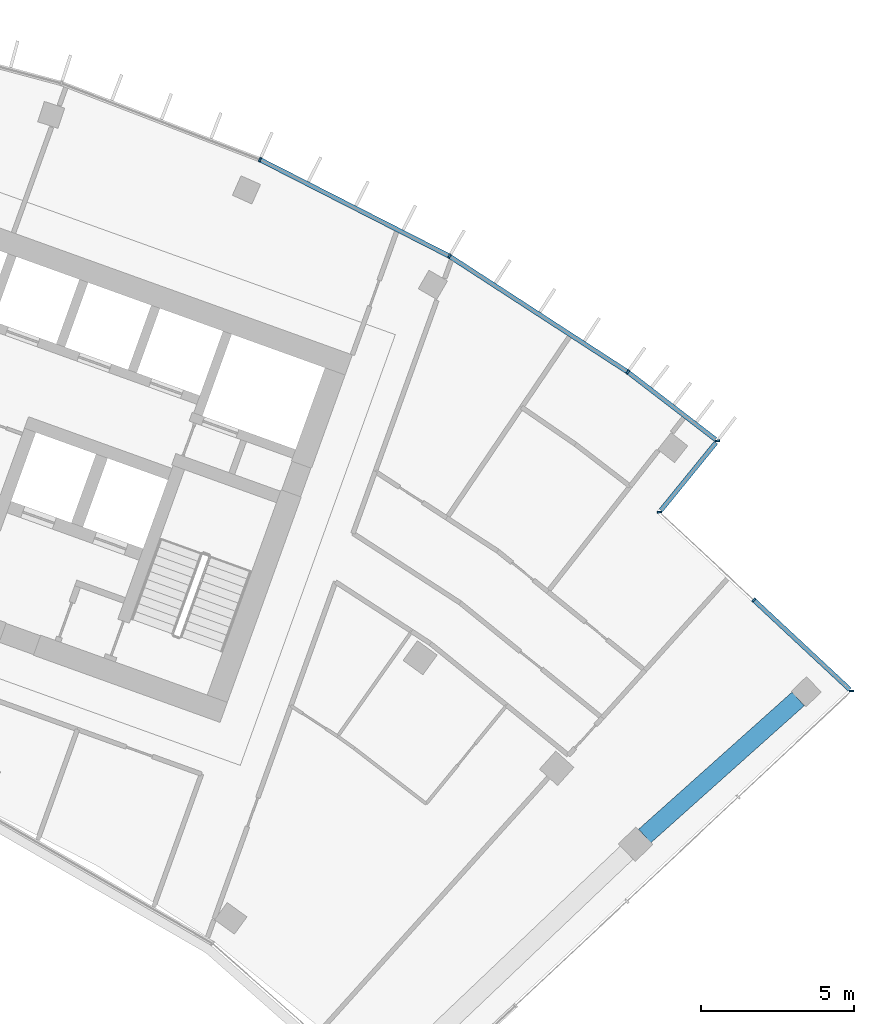
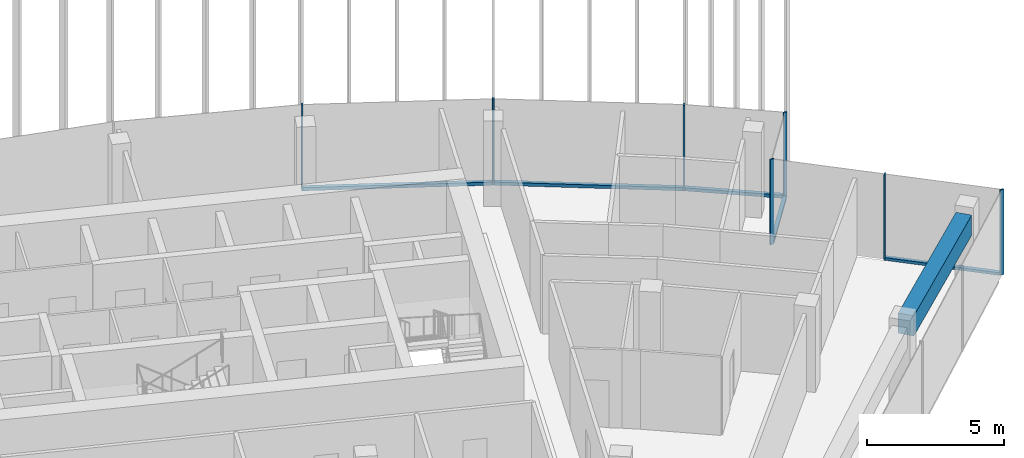
# One storey, part 9 of 19: 12 members, 1 beam, 3 elements without a shape of their own.
"""IFC4 building model written with IfcOpenShell, lengths in metres."""

from ifc_helpers import new_model, si_unit, direction, frame, origin, origin_2d, place, context, subcontext, project, spatial, rectangle, extrude, material, layer, layer_set, material_profile, profile_set, type_object, element, aggregate, save


model = new_model("IFC4")

# Units and contexts
model_context = context("Model", 3, precision=1e-05, world=origin(), true_north=direction((0.0, 1.0)))
body_context = subcontext(model_context, "Body", "Model", "MODEL_VIEW")
ifc_project = project(units=[si_unit("LENGTHUNIT", "METRE"), si_unit("AREAUNIT", "SQUARE_METRE"), si_unit("VOLUMEUNIT", "CUBIC_METRE"), si_unit("PLANEANGLEUNIT", "RADIAN"), si_unit("MASSUNIT", "GRAM", prefix="KILO")], contexts=[model_context])

# Site, building, storey
site_placement = place(None, origin())
site = spatial("IfcSite", under=ifc_project, at=site_placement, CompositionType="ELEMENT")
building_placement = place(site_placement, origin())
building = spatial("IfcBuilding", under=site, at=building_placement, Name="Stone Belt Terrace Tower", CompositionType="ELEMENT")
storey_placement = place(building_placement, frame((0.0, 0.0, 280.800048828125)))
storey = spatial("IfcBuildingStorey", under=building, at=storey_placement, Name="L68", CompositionType="ELEMENT", Elevation=280.800048828125)

# Curtain wall, members
ifc_material_1 = material(Name="Aluminium 6063-T6 anodised frame", Category="aluminium")
ifc_layer_1 = layer(ifc_material_1, 0.14990234375)
ifc_layer_set_1 = layer_set([ifc_layer_1], Name="CW-A unitised convex-face curtain wall")
curtain_wall_type_1 = type_object("IfcCurtainWallType", Name="CW-A unitised convex-face curtain wall", PredefinedType="NOTDEFINED", material=ifc_layer_set_1)
curtain_wall_1_placement = place(storey_placement, origin())
curtain_wall_1 = element("IfcCurtainWall", 1, at=curtain_wall_1_placement, inside=storey, type_object=curtain_wall_type_1, Name="CW-A convex face L68", PredefinedType="NOTDEFINED")
ifc_material_profile_1 = material_profile(ifc_material_1, rectangle(XDim=0.14990234375, YDim=0.06005859375, at=origin_2d()), Name="Aluminium 6063-T6 60x150")
ifc_profile_set_1 = profile_set([ifc_material_profile_1], Name="Aluminium 6063-T6 anodised frame")
member_type_1 = type_object("IfcMemberType", Name="CW-A mullion 60 x 150", PredefinedType="MULLION", material=ifc_profile_set_1)
member_1_placement = place(storey_placement, frame((42.068359375, 51.60205078125, 0.0), z_axis=(0.0, 0.0, 1.0), x_axis=(-0.993258004644, -0.115924700604, 0.0)))
member_1 = element("IfcMember", 2, at=member_1_placement, type_object=member_type_1, Name="CW-A mullion 1", PredefinedType="MULLION", context=body_context, shape_type="SweptSolid", body=[
    extrude(rectangle(XDim=0.14990234375, YDim=0.06005859375, at=origin_2d()), origin(), (0.0, 0.0, 1.0), 3.800048828125),
])
member_2_placement = place(storey_placement, frame((39.131103515625, 53.86083984375, 0.0), z_axis=(0.0, 0.0, 1.0), x_axis=(-0.577587125789, -0.816329046477, 0.0)))
member_2 = element("IfcMember", 3, at=member_2_placement, type_object=member_type_1, Name="CW-A mullion 2", PredefinedType="MULLION", context=body_context, shape_type="SweptSolid", body=[
    extrude(rectangle(XDim=0.14990234375, YDim=0.06005859375, at=origin_2d()), origin(), (0.0, 0.0, 1.0), 3.800048828125),
])
member_3_placement = place(storey_placement, frame((33.28759765625, 57.65576171875, 0.0), z_axis=(0.0, 0.0, 1.0), x_axis=(-0.5, -0.866025403784, 0.0)))
member_3 = element("IfcMember", 4, at=member_3_placement, type_object=member_type_1, Name="CW-A mullion 3", PredefinedType="MULLION", context=body_context, shape_type="SweptSolid", body=[
    extrude(rectangle(XDim=0.14990234375, YDim=0.06005859375, at=origin_2d()), origin(), (0.0, 0.0, 1.0), 3.800048828125),
])
member_4_placement = place(storey_placement, frame((27.07861328125, 60.8193359375, 0.0), z_axis=(0.0, 0.0, 1.0), x_axis=(-0.406736643076, -0.913545457643, 0.0)))
member_4 = element("IfcMember", 5, at=member_4_placement, type_object=member_type_1, Name="CW-A mullion 4", PredefinedType="MULLION", context=body_context, shape_type="SweptSolid", body=[
    extrude(rectangle(XDim=0.14990234375, YDim=0.06005859375, at=origin_2d()), origin(), (0.0, 0.0, 1.0), 3.800048828125),
])
ifc_material_profile_2 = material_profile(ifc_material_1, rectangle(XDim=0.14990234375, YDim=0.139892578125, at=origin_2d()), Name="Aluminium 6063-T6 150x140")
ifc_profile_set_2 = profile_set([ifc_material_profile_2], Name="Aluminium 6063-T6 anodised frame")
member_type_2 = type_object("IfcMemberType", Name="CW-A transom 140 x 150", PredefinedType="USERDEFINED", material=ifc_profile_set_2)
member_5_placement = place(storey_placement, frame((42.00927734375, 51.6474609375, 0.070068359375), z_axis=(-0.79269461464, 0.609618936648, 0.0), x_axis=(-0.609618936648, -0.79269461464, 0.0)))
member_5 = element("IfcMember", 6, at=member_5_placement, type_object=member_type_2, Name="CW-A transom 1.1", ObjectType="TRANSOM", PredefinedType="USERDEFINED", context=body_context, shape_type="SweptSolid", body=[
    extrude(rectangle(XDim=0.14990234375, YDim=0.139892578125, at=origin_2d()), origin(), (0.0, 0.0, 1.0), 3.597900390625),
])
member_6_placement = place(storey_placement, frame((39.103515625, 53.87890625, 0.070068359375), z_axis=(-0.83868440714, 0.544617723931, 0.0), x_axis=(-0.544617723931, -0.83868440714, 0.0)))
member_6 = element("IfcMember", 7, at=member_6_placement, type_object=member_type_2, Name="CW-A transom 2.1", ObjectType="TRANSOM", PredefinedType="USERDEFINED", context=body_context, shape_type="SweptSolid", body=[
    extrude(rectangle(XDim=0.14990234375, YDim=0.139892578125, at=origin_2d()), origin(), (0.0, 0.0, 1.0), 6.90087890625),
])
member_7_placement = place(storey_placement, frame((33.25732421875, 57.671142578125, 0.070068359375), z_axis=(-0.891012226264, 0.453979308613, 0.0), x_axis=(-0.453979308613, -0.891012226264, 0.0)))
member_7 = element("IfcMember", 8, at=member_7_placement, type_object=member_type_2, Name="CW-A transom 3.1", ObjectType="TRANSOM", PredefinedType="USERDEFINED", context=body_context, shape_type="SweptSolid", body=[
    extrude(rectangle(XDim=0.14990234375, YDim=0.139892578125, at=origin_2d()), origin(), (0.0, 0.0, 1.0), 6.90087890625),
])
aggregate(curtain_wall_1, [member_1, member_2, member_3, member_4, member_5, member_6, member_7])

ifc_layer_2 = layer(ifc_material_1, 0.14990234375)
ifc_layer_set_2 = layer_set([ifc_layer_2], Name="CW-C stick curtain wall, horn ends and notches")
curtain_wall_type_2 = type_object("IfcCurtainWallType", Name="CW-C stick curtain wall, horn ends and notches", PredefinedType="NOTDEFINED", material=ifc_layer_set_2)
curtain_wall_2_placement = place(storey_placement, origin())
curtain_wall_2 = element("IfcCurtainWall", 9, at=curtain_wall_2_placement, inside=storey, type_object=curtain_wall_type_2, Name="CW-C notch face L68", PredefinedType="NOTDEFINED")
ifc_material_profile_3 = material_profile(ifc_material_1, rectangle(XDim=0.14990234375, YDim=0.06005859375, at=origin_2d()), Name="Aluminium 6063-T6 60x150")
ifc_profile_set_3 = profile_set([ifc_material_profile_3], Name="Aluminium 6063-T6 anodised frame")
member_type_3 = type_object("IfcMemberType", Name="CW-C mullion 60 x 150", PredefinedType="MULLION", material=ifc_profile_set_3)
member_8_placement = place(storey_placement, frame((46.458740234375, 43.405517578125, 0.0), z_axis=(0.0, 0.0, 1.0), x_axis=(-0.999999447771, -0.00105093149, 0.0)))
member_8 = element("IfcMember", 10, at=member_8_placement, type_object=member_type_3, Name="CW-C mullion 1", PredefinedType="MULLION", context=body_context, shape_type="SweptSolid", body=[
    extrude(rectangle(XDim=0.14990234375, YDim=0.06005859375, at=origin_2d()), origin(), (0.0, 0.0, 1.0), 3.800048828125),
])
member_9_placement = place(storey_placement, frame((43.260009765625, 46.388671875, 0.0), z_axis=(0.0, 0.0, 1.0), x_axis=(-0.682013767261, -0.731339333871, 0.0)))
member_9 = element("IfcMember", 11, at=member_9_placement, type_object=member_type_3, Name="CW-C mullion 2", PredefinedType="MULLION", context=body_context, shape_type="SweptSolid", body=[
    extrude(rectangle(XDim=0.14990234375, YDim=0.06005859375, at=origin_2d()), origin(), (0.0, 0.0, 1.0), 3.800048828125),
])

# Curtain wall, member
curtain_wall_3_placement = place(storey_placement, origin())
curtain_wall_3 = element("IfcCurtainWall", 12, at=curtain_wall_3_placement, inside=storey, type_object=curtain_wall_type_2, Name="CW-C notch face L68", PredefinedType="NOTDEFINED")
member_10_placement = place(storey_placement, frame((40.1708984375, 49.269287109375, 0.0), z_axis=(0.0, 0.0, 1.0), x_axis=(-0.997639702696, -0.068666029474, 0.0)))
member_10 = element("IfcMember", 13, at=member_10_placement, type_object=member_type_3, Name="CW-C mullion 1", PredefinedType="MULLION", context=body_context, shape_type="SweptSolid", body=[
    extrude(rectangle(XDim=0.14990234375, YDim=0.06005859375, at=origin_2d()), origin(), (0.0, 0.0, 1.0), 3.800048828125),
])

# Member
ifc_material_profile_4 = material_profile(ifc_material_1, rectangle(XDim=0.14990234375, YDim=0.1201171875, at=origin_2d()), Name="Aluminium 6063-T6 150x120")
ifc_profile_set_4 = profile_set([ifc_material_profile_4], Name="Aluminium 6063-T6 anodised frame")
member_type_4 = type_object("IfcMemberType", Name="CW-C transom 120 x 150", PredefinedType="USERDEFINED", material=ifc_profile_set_4)
member_11_placement = place(storey_placement, frame((46.40380859375, 43.456787109375, 0.06005859375), z_axis=(-0.731353784958, 0.681998270693, 0.0), x_axis=(-0.681998270693, -0.731353784958, 0.0)))
member_11 = element("IfcMember", 14, at=member_11_placement, type_object=member_type_4, Name="CW-C transom 1.1", ObjectType="TRANSOM", PredefinedType="USERDEFINED", context=body_context, shape_type="SweptSolid", body=[
    extrude(rectangle(XDim=0.14990234375, YDim=0.1201171875, at=origin_2d()), origin(), (0.0, 0.0, 1.0), 4.268798828125),
])

aggregate(curtain_wall_2, [member_8, member_9, member_11])

member_12_placement = place(storey_placement, frame((40.217041015625, 49.325927734375, 0.06005859375), z_axis=(0.631026504781, 0.775761271439, 0.0), x_axis=(-0.775761271439, 0.631026504781, 0.0)))
member_12 = element("IfcMember", 15, at=member_12_placement, type_object=member_type_4, Name="CW-C transom 1.1", ObjectType="TRANSOM", PredefinedType="USERDEFINED", context=body_context, shape_type="SweptSolid", body=[
    extrude(rectangle(XDim=0.14990234375, YDim=0.1201171875, at=origin_2d()), origin(), (0.0, 0.0, 1.0), 2.859130859375),
])

aggregate(curtain_wall_3, [member_10, member_12])

# Beam
ifc_material_2 = material(Name="Concrete B60", Category="concrete")
ifc_material_profile_5 = material_profile(ifc_material_2, rectangle(XDim=0.60009765625, YDim=0.89990234375, at=origin_2d()), Name="RC 600x900")
ifc_profile_set_5 = profile_set([ifc_material_profile_5], Name="Concrete B60")
beam_type = type_object("IfcBeamType", Name="Edge beam RC 600x900 B60", PredefinedType="SPANDREL", material=ifc_profile_set_5)
beam_placement = place(storey_placement, frame((39.68701171875, 38.65380859375, 3.030029296875), z_axis=(0.745651125692, 0.666336550666, 0.0), x_axis=(-0.666336550666, 0.745651125692, 0.0)))
element("IfcBeam", 16, at=beam_placement, inside=storey, type_object=beam_type, Name="Edge beam L68 B Q to R", PredefinedType="SPANDREL", context=body_context, shape_type="SweptSolid", body=[
    extrude(rectangle(XDim=0.60009765625, YDim=0.89990234375, at=origin_2d()), origin(), (0.0, 0.0, 1.0), 6.744140625),
])

save(model, "model.ifc")
